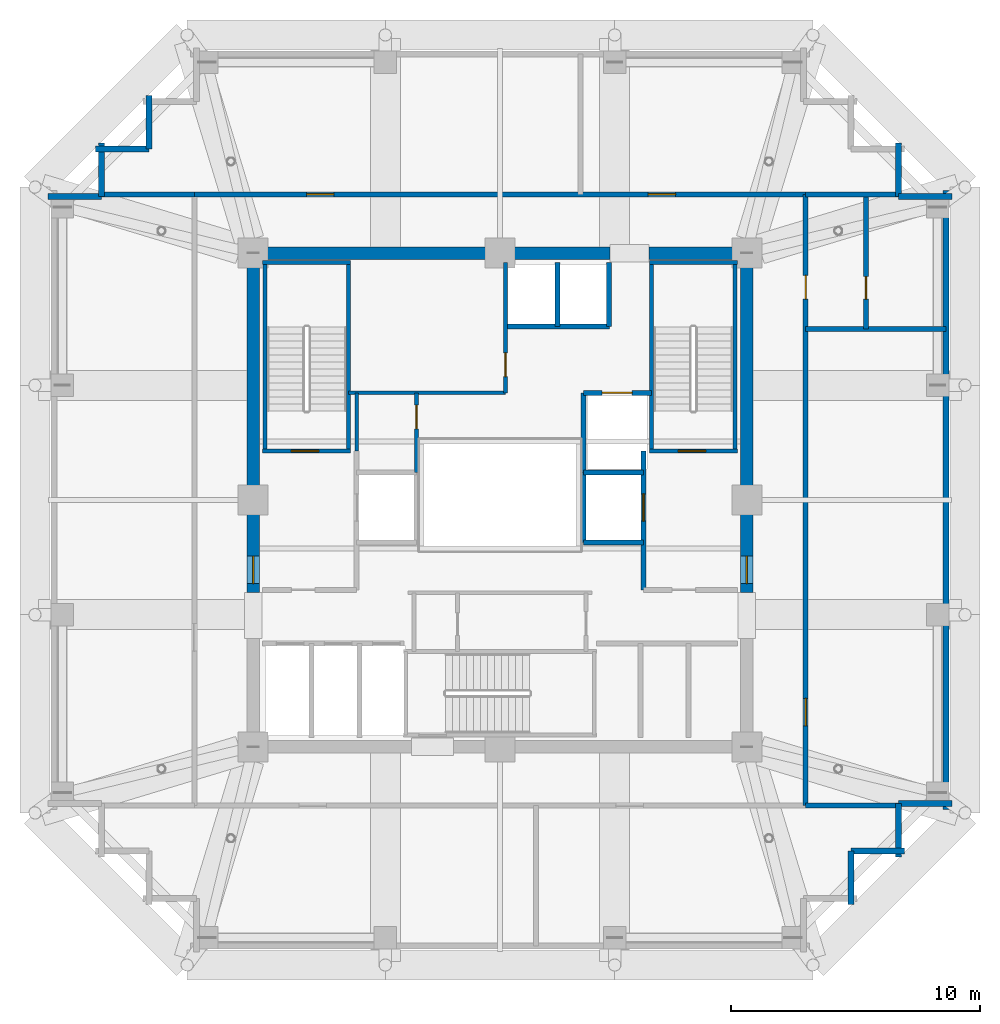
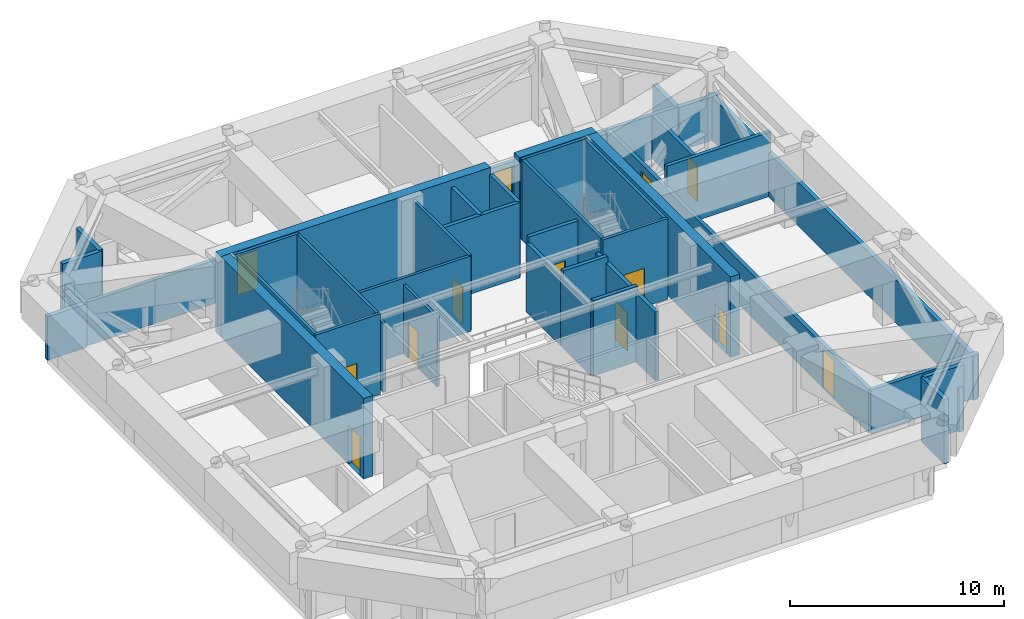
# One storey, part 10 of 12: 43 walls, 13 doors, 13 openings.
"""IFC4 building model written with IfcOpenShell, lengths in metres."""

from ifc_helpers import new_model, si_unit, direction, frame, frame_2d, origin, place, context, subcontext, project, spatial, rectangle, extrude, material, layer, layer_set, type_object, element, fill, save


model = new_model("IFC4")

# Units and contexts
model_context = context("Model", 3, precision=1e-05, world=origin(), true_north=direction((0.0, 1.0)))
body_context = subcontext(model_context, "Body", "Model", "MODEL_VIEW")
ifc_project = project(units=[si_unit("LENGTHUNIT", "METRE"), si_unit("AREAUNIT", "SQUARE_METRE"), si_unit("VOLUMEUNIT", "CUBIC_METRE"), si_unit("PLANEANGLEUNIT", "RADIAN"), si_unit("MASSUNIT", "GRAM", prefix="KILO")], contexts=[model_context])

# Site, building, storey
site_placement = place(None, origin())
site = spatial("IfcSite", under=ifc_project, at=site_placement, CompositionType="ELEMENT")
building_placement = place(site_placement, origin())
building = spatial("IfcBuilding", under=site, at=building_placement, Name="Kolvaren Belvedere", CompositionType="ELEMENT")
storey_placement = place(building_placement, frame((0.0, 0.0, 148.10009765625)))
storey = spatial("IfcBuildingStorey", under=building, at=storey_placement, Name="L43", CompositionType="ELEMENT", Elevation=148.10009765625)

# Walls
ifc_material_1 = material(Name="Concrete C50/60", Category="concrete")
ifc_layer_1 = layer(ifc_material_1, 0.5)
ifc_layer_set_1 = layer_set([ifc_layer_1], Name="Concrete C50/60")
wall_type_1 = type_object("IfcWallType", Name="CW-CORE-500", PredefinedType="SHEAR", material=ifc_layer_set_1)
wall_1_placement = place(storey_placement, frame((-10.14990234375, 9.89990234375, 0.0), z_axis=(0.0, 0.0, 1.0), x_axis=(1.0, 0.0, 0.0)))
element("IfcWall", 1, at=wall_1_placement, inside=storey, type_object=wall_type_1, Name="L43 North Core Shear Wall 1", PredefinedType="SHEAR", context=body_context, shape_type="SweptSolid", body=[
    extrude(rectangle(XDim=14.56982421875, YDim=0.5, at=frame_2d((7.284912109375, 0.0))), origin(), (0.0, 0.0, 1.0), 4.599853515625),
])
wall_2_placement = place(storey_placement, frame((5.97998046875, 9.89990234375, 0.0), z_axis=(0.0, 0.0, 1.0), x_axis=(1.0, 0.0, 0.0)))
element("IfcWall", 2, at=wall_2_placement, inside=storey, type_object=wall_type_1, Name="L43 North Core Shear Wall 2", PredefinedType="SHEAR", context=body_context, shape_type="SweptSolid", body=[
    extrude(rectangle(XDim=4.169921875, YDim=0.5, at=frame_2d((2.0849609375, 0.0))), origin(), (0.0, 0.0, 1.0), 4.599853515625),
])

# Wall, opening, door
wall_3_placement = place(storey_placement, frame((-9.89990234375, -3.699951171875, 0.0), z_axis=(0.0, 0.0, 1.0), x_axis=(0.0, 1.0, 0.0)))
wall_3 = element("IfcWall", 3, at=wall_3_placement, inside=storey, type_object=wall_type_1, Name="L43 West Core Shear Wall 2", PredefinedType="SHEAR", context=body_context, shape_type="SweptSolid", body=[
    extrude(rectangle(XDim=13.349853515625, YDim=0.5, at=frame_2d((6.6748046875, 0.0))), origin(), (0.0, 0.0, 1.0), 4.599853515625),
])
opening_1_placement = place(wall_3_placement, frame((0.35009765625, 0.0, 0.0)))
opening_1 = element("IfcOpeningElement", 4, at=opening_1_placement, cuts=wall_3, Name="Opening D-FD90", PredefinedType="OPENING", context=body_context, shape_type="SweptSolid", body=[
    extrude(rectangle(XDim=1.10009765625, YDim=2.199951171875, at=frame_2d((0.550048828125, 1.10009765625))), frame((0.0, 0.260009765625, 0.0), z_axis=(0.0, -1.0, 0.0), x_axis=(1.0, 0.0, 0.0)), (0.0, 0.0, 1.0), 0.52001953125),
])
ifc_material_2 = material(Name="Painted hollow stainless steel", Category="steel")
door_type_1 = type_object("IfcDoorType", Name="DR-FD90-1100", OperationType="NOTDEFINED", PredefinedType="DOOR", material=ifc_material_2)
door_1_placement = place(opening_1_placement, origin())
door_1 = element("IfcDoor", 5, at=door_1_placement, inside=storey, type_object=door_type_1, Name="L43 West Firefighting Lobby Fire Door", OperationType="SINGLE_SWING_LEFT", OverallHeight=2.199951171875, OverallWidth=1.10009765625, PredefinedType="DOOR", context=body_context, shape_type="SweptSolid", body=[
    extrude(rectangle(XDim=1.10009765625, YDim=2.199951171875, at=frame_2d((0.550048828125, 1.10009765625))), frame((0.0, 0.02490234375, 0.0), z_axis=(0.0, -1.0, 0.0), x_axis=(1.0, 0.0, 0.0)), (0.0, 0.0, 1.0), 0.050048828125),
])
fill(opening_1, door_1)

wall_4_placement = place(storey_placement, frame((9.89990234375, -3.699951171875, 0.0), z_axis=(0.0, 0.0, 1.0), x_axis=(0.0, 1.0, 0.0)))
wall_4 = element("IfcWall", 6, at=wall_4_placement, inside=storey, type_object=wall_type_1, Name="L43 East Core Shear Wall 2", PredefinedType="SHEAR", context=body_context, shape_type="SweptSolid", body=[
    extrude(rectangle(XDim=13.349853515625, YDim=0.5, at=frame_2d((6.6748046875, 0.0))), origin(), (0.0, 0.0, 1.0), 4.599853515625),
])
opening_2_placement = place(wall_4_placement, frame((0.35009765625, 0.0, 0.0)))
opening_2 = element("IfcOpeningElement", 7, at=opening_2_placement, cuts=wall_4, Name="Opening D-FD90", PredefinedType="OPENING", context=body_context, shape_type="SweptSolid", body=[
    extrude(rectangle(XDim=1.10009765625, YDim=2.199951171875, at=frame_2d((0.550048828125, 1.10009765625))), frame((0.0, 0.260009765625, 0.0), z_axis=(0.0, -1.0, 0.0), x_axis=(1.0, 0.0, 0.0)), (0.0, 0.0, 1.0), 0.52001953125),
])
door_2_placement = place(opening_2_placement, origin())
door_2 = element("IfcDoor", 8, at=door_2_placement, inside=storey, type_object=door_type_1, Name="L43 East Firefighting Lobby Fire Door", OperationType="SINGLE_SWING_RIGHT", OverallHeight=2.199951171875, OverallWidth=1.10009765625, PredefinedType="DOOR", context=body_context, shape_type="SweptSolid", body=[
    extrude(rectangle(XDim=1.10009765625, YDim=2.199951171875, at=frame_2d((0.550048828125, 1.10009765625))), frame((0.0, 0.02490234375, 0.0), z_axis=(0.0, -1.0, 0.0), x_axis=(1.0, 0.0, 0.0)), (0.0, 0.0, 1.0), 0.050048828125),
])
fill(opening_2, door_2)

ifc_material_3 = material(Name="Concrete C50/60", Category="concrete")
ifc_layer_2 = layer(ifc_material_3, 0.159912109375)
ifc_layer_set_2 = layer_set([ifc_layer_2], Name="Concrete C50/60")
wall_type_2 = type_object("IfcWallType", Name="CW-STAIR-160", PredefinedType="SHEAR", material=ifc_layer_set_2)
wall_5_placement = place(storey_placement, frame((-9.52001953125, 1.969970703125, 0.0), z_axis=(0.0, 0.0, 1.0), x_axis=(1.0, 0.0, 0.0)))
wall_5 = element("IfcWall", 9, at=wall_5_placement, inside=storey, type_object=wall_type_2, Name="L43 Stair ST-1 South Shear Wall", PredefinedType="SHEAR", context=body_context, shape_type="SweptSolid", body=[
    extrude(rectangle(XDim=3.52001953125, YDim=0.159912109375, at=frame_2d((1.760009765625, 0.0))), origin(), (0.0, 0.0, 1.0), 4.599853515625),
])
opening_3_placement = place(wall_5_placement, frame((1.14990234375, 0.0, 0.0)))
opening_3 = element("IfcOpeningElement", 10, at=opening_3_placement, cuts=wall_5, Name="Opening D-FD90", PredefinedType="OPENING", context=body_context, shape_type="SweptSolid", body=[
    extrude(rectangle(XDim=1.10009765625, YDim=2.199951171875, at=frame_2d((0.550048828125, 1.10009765625))), frame((0.0, 0.08984375, 0.0), z_axis=(0.0, -1.0, 0.0), x_axis=(1.0, 0.0, 0.0)), (0.0, 0.0, 1.0), 0.179931640625),
])
door_3_placement = place(opening_3_placement, origin())
door_3 = element("IfcDoor", 11, at=door_3_placement, inside=storey, type_object=door_type_1, Name="L43 Stair ST-1 Fire Door", OperationType="SINGLE_SWING_LEFT", OverallHeight=2.199951171875, OverallWidth=1.10009765625, PredefinedType="DOOR", context=body_context, shape_type="SweptSolid", body=[
    extrude(rectangle(XDim=1.10009765625, YDim=2.199951171875, at=frame_2d((0.550048828125, 1.10009765625))), frame((0.0, 0.02490234375, 0.0), z_axis=(0.0, -1.0, 0.0), x_axis=(1.0, 0.0, 0.0)), (0.0, 0.0, 1.0), 0.050048828125),
])
fill(opening_3, door_3)

# Walls
wall_6_placement = place(storey_placement, frame((-9.52001953125, 9.530029296875, 0.0), z_axis=(0.0, 0.0, 1.0), x_axis=(1.0, 0.0, 0.0)))
element("IfcWall", 12, at=wall_6_placement, inside=storey, type_object=wall_type_2, Name="L43 Stair ST-1 North Shear Wall", PredefinedType="SHEAR", context=body_context, shape_type="SweptSolid", body=[
    extrude(rectangle(XDim=3.52001953125, YDim=0.159912109375, at=frame_2d((1.760009765625, 0.0))), origin(), (0.0, 0.0, 1.0), 4.599853515625),
])
for number, where, z_axis, x_axis, name in (
    (13, (-9.429931640625, 1.969970703125, 0.0), (0.0, 0.0, 1.0), (0.0, 1.0, 0.0), "L43 Stair ST-1 West Shear Wall"),
    (14, (-6.080078125, 1.969970703125, 0.0), (0.0, 0.0, 1.0), (0.0, 1.0, 0.0), "L43 Stair ST-1 East Shear Wall"),
):
    element("IfcWall", number, at=place(storey_placement, frame(where, z_axis=z_axis, x_axis=x_axis)), inside=storey, type_object=wall_type_2, Name=name, PredefinedType="SHEAR", context=body_context, shape_type="SweptSolid", body=[
        extrude(rectangle(XDim=7.56005859375, YDim=0.159912109375, at=frame_2d((3.780029296875, 0.0))), origin(), (0.0, 0.0, 1.0), 4.599853515625),
    ])

# Wall, opening, door
wall_7_placement = place(storey_placement, frame((6.0, 1.969970703125, 0.0), z_axis=(0.0, 0.0, 1.0), x_axis=(1.0, 0.0, 0.0)))
wall_7 = element("IfcWall", 15, at=wall_7_placement, inside=storey, type_object=wall_type_2, Name="L43 Stair ST-2 South Shear Wall", PredefinedType="SHEAR", context=body_context, shape_type="SweptSolid", body=[
    extrude(rectangle(XDim=3.52001953125, YDim=0.159912109375, at=frame_2d((1.760009765625, 0.0))), origin(), (0.0, 0.0, 1.0), 4.599853515625),
])
opening_4_placement = place(wall_7_placement, frame((1.14990234375, 0.0, 0.0)))
opening_4 = element("IfcOpeningElement", 16, at=opening_4_placement, cuts=wall_7, Name="Opening D-FD90", PredefinedType="OPENING", context=body_context, shape_type="SweptSolid", body=[
    extrude(rectangle(XDim=1.10009765625, YDim=2.199951171875, at=frame_2d((0.550048828125, 1.10009765625))), frame((0.0, 0.08984375, 0.0), z_axis=(0.0, -1.0, 0.0), x_axis=(1.0, 0.0, 0.0)), (0.0, 0.0, 1.0), 0.179931640625),
])
door_4_placement = place(opening_4_placement, origin())
door_4 = element("IfcDoor", 17, at=door_4_placement, inside=storey, type_object=door_type_1, Name="L43 Stair ST-2 Fire Door", OperationType="SINGLE_SWING_RIGHT", OverallHeight=2.199951171875, OverallWidth=1.10009765625, PredefinedType="DOOR", context=body_context, shape_type="SweptSolid", body=[
    extrude(rectangle(XDim=1.10009765625, YDim=2.199951171875, at=frame_2d((0.550048828125, 1.10009765625))), frame((0.0, 0.02490234375, 0.0), z_axis=(0.0, -1.0, 0.0), x_axis=(1.0, 0.0, 0.0)), (0.0, 0.0, 1.0), 0.050048828125),
])
fill(opening_4, door_4)

# Walls
wall_8_placement = place(storey_placement, frame((6.0, 9.530029296875, 0.0), z_axis=(0.0, 0.0, 1.0), x_axis=(1.0, 0.0, 0.0)))
element("IfcWall", 18, at=wall_8_placement, inside=storey, type_object=wall_type_2, Name="L43 Stair ST-2 North Shear Wall", PredefinedType="SHEAR", context=body_context, shape_type="SweptSolid", body=[
    extrude(rectangle(XDim=3.52001953125, YDim=0.159912109375, at=frame_2d((1.760009765625, 0.0))), origin(), (0.0, 0.0, 1.0), 4.599853515625),
])
for number, where, z_axis, x_axis, name in (
    (19, (6.080078125, 1.969970703125, 0.0), (0.0, 0.0, 1.0), (0.0, 1.0, 0.0), "L43 Stair ST-2 West Shear Wall"),
    (20, (9.429931640625, 1.969970703125, 0.0), (0.0, 0.0, 1.0), (0.0, 1.0, 0.0), "L43 Stair ST-2 East Shear Wall"),
):
    element("IfcWall", number, at=place(storey_placement, frame(where, z_axis=z_axis, x_axis=x_axis)), inside=storey, type_object=wall_type_2, Name=name, PredefinedType="SHEAR", context=body_context, shape_type="SweptSolid", body=[
        extrude(rectangle(XDim=7.56005859375, YDim=0.159912109375, at=frame_2d((3.780029296875, 0.0))), origin(), (0.0, 0.0, 1.0), 4.599853515625),
    ])
ifc_material_4 = material(Name="Insulated acoustic pale-metal louvre wall", Category="aluminium")
ifc_layer_3 = layer(ifc_material_4, 0.239990234375)
ifc_layer_set_3 = layer_set([ifc_layer_3], Name="Insulated acoustic pale-metal louvre wall")
wall_type_3 = type_object("IfcWallType", Name="WL-LOUV-240", PredefinedType="STANDARD", material=ifc_layer_set_3)
for number, where, z_axis, x_axis, name in (
    (21, (14.080078125, -14.080078125, 0.0), (0.0, 0.0, 1.0), (0.0, -1.0, 0.0), "L43 Acoustic Louvre Facade Wall 4"),
    (22, (16.219970703125, -14.080078125, 0.0), (0.0, 0.0, 1.0), (-1.0, 0.0, 0.0), "L43 Acoustic Louvre Facade Wall 5"),
):
    element("IfcWall", number, at=place(storey_placement, frame(where, z_axis=z_axis, x_axis=x_axis)), inside=storey, type_object=wall_type_3, Name=name, PredefinedType="STANDARD", context=body_context, shape_type="SweptSolid", body=[
        extrude(rectangle(XDim=2.139892578125, YDim=0.239990234375, at=frame_2d((1.06982421875, 0.0))), origin(), (0.0, 0.0, 1.0), 3.678955078125),
    ])
for number, where, z_axis, x_axis, name in (
    (23, (15.97998046875, -12.179931640625, 0.0), (0.0, 0.0, 1.0), (0.0, -1.0, 0.0), "L43 Acoustic Louvre Facade Wall 6"),
    (24, (18.1201171875, -12.179931640625, 0.0), (0.0, 0.0, 1.0), (-1.0, 0.0, 0.0), "L43 Acoustic Louvre Facade Wall 7"),
):
    element("IfcWall", number, at=place(storey_placement, frame(where, z_axis=z_axis, x_axis=x_axis)), inside=storey, type_object=wall_type_3, Name=name, PredefinedType="STANDARD", context=body_context, shape_type="SweptSolid", body=[
        extrude(rectangle(XDim=2.14013671875, YDim=0.239990234375, at=frame_2d((1.070068359375, 0.0))), origin(), (0.0, 0.0, 1.0), 2.494873046875),
    ])
wall_9_placement = place(storey_placement, frame((17.8798828125, 12.419921875, 0.0), z_axis=(0.0, 0.0, 1.0), x_axis=(0.0, -1.0, 0.0)))
element("IfcWall", 25, at=wall_9_placement, inside=storey, type_object=wall_type_3, Name="L43 Acoustic Louvre Facade Wall 8", PredefinedType="STANDARD", context=body_context, shape_type="SweptSolid", body=[
    extrude(rectangle(XDim=24.83984375, YDim=0.239990234375, at=frame_2d((12.419921875, 0.0))), origin(), (0.0, 0.0, 1.0), 2.494873046875),
])
for number, where, z_axis, x_axis, name in (
    (26, (15.97998046875, 12.179931640625, 0.0), (0.0, 0.0, 1.0), (1.0, 0.0, 0.0), "L43 Acoustic Louvre Facade Wall 9"),
    (27, (15.97998046875, 14.320068359375, 0.0), (0.0, 0.0, 1.0), (0.0, -1.0, 0.0), "L43 Acoustic Louvre Facade Wall 10"),
):
    element("IfcWall", number, at=place(storey_placement, frame(where, z_axis=z_axis, x_axis=x_axis)), inside=storey, type_object=wall_type_3, Name=name, PredefinedType="STANDARD", context=body_context, shape_type="SweptSolid", body=[
        extrude(rectangle(XDim=2.14013671875, YDim=0.239990234375, at=frame_2d((1.070068359375, 0.0))), origin(), (0.0, 0.0, 1.0), 2.494873046875),
    ])
for number, where, z_axis, x_axis, name in (
    (28, (-14.080078125, 14.080078125, 0.0), (0.0, 0.0, 1.0), (0.0, 1.0, 0.0), "L43 Acoustic Louvre Facade Wall 18"),
    (29, (-16.219970703125, 14.080078125, 0.0), (0.0, 0.0, 1.0), (1.0, 0.0, 0.0), "L43 Acoustic Louvre Facade Wall 19"),
):
    element("IfcWall", number, at=place(storey_placement, frame(where, z_axis=z_axis, x_axis=x_axis)), inside=storey, type_object=wall_type_3, Name=name, PredefinedType="STANDARD", context=body_context, shape_type="SweptSolid", body=[
        extrude(rectangle(XDim=2.139892578125, YDim=0.239990234375, at=frame_2d((1.06982421875, 0.0))), origin(), (0.0, 0.0, 1.0), 3.678955078125),
    ])
for number, where, z_axis, x_axis, name in (
    (30, (-15.97998046875, 12.179931640625, 0.0), (0.0, 0.0, 1.0), (0.0, 1.0, 0.0), "L43 Acoustic Louvre Facade Wall 20"),
    (31, (-18.1201171875, 12.179931640625, 0.0), (0.0, 0.0, 1.0), (1.0, 0.0, 0.0), "L43 Acoustic Louvre Facade Wall 21"),
):
    element("IfcWall", number, at=place(storey_placement, frame(where, z_axis=z_axis, x_axis=x_axis)), inside=storey, type_object=wall_type_3, Name=name, PredefinedType="STANDARD", context=body_context, shape_type="SweptSolid", body=[
        extrude(rectangle(XDim=2.14013671875, YDim=0.239990234375, at=frame_2d((1.070068359375, 0.0))), origin(), (0.0, 0.0, 1.0), 2.494873046875),
    ])
ifc_material_5 = material(Name="Gypsum acoustic partition assembly", Category="gypsum")
ifc_layer_4 = layer(ifc_material_5, 0.14990234375)
ifc_layer_set_4 = layer_set([ifc_layer_4], Name="Gypsum acoustic partition assembly")
wall_type_4 = type_object("IfcWallType", Name="WL-PART-150", PredefinedType="PARTITIONING", material=ifc_layer_set_4)
wall_10_placement = place(storey_placement, frame((-6.080078125, 4.300048828125, 0.0), z_axis=(0.0, 0.0, 1.0), x_axis=(1.0, 0.0, 0.0)))
element("IfcWall", 32, at=wall_10_placement, inside=storey, type_object=wall_type_4, Name="L43 Reclaimed Salon South Wall", PredefinedType="PARTITIONING", context=body_context, shape_type="SweptSolid", body=[
    extrude(rectangle(XDim=6.300048828125, YDim=0.14990234375, at=frame_2d((3.14990234375, 0.0))), origin(), (0.0, 0.0, 1.0), 4.2998046875),
])

# Wall, opening, door
wall_11_placement = place(storey_placement, frame((0.219970703125, 4.300048828125, 0.0), z_axis=(0.0, 0.0, 1.0), x_axis=(0.0, 1.0, 0.0)))
wall_11 = element("IfcWall", 33, at=wall_11_placement, inside=storey, type_object=wall_type_4, Name="L43 Reclaimed Salon East Wall", PredefinedType="PARTITIONING", context=body_context, shape_type="SweptSolid", body=[
    extrude(rectangle(XDim=5.219970703125, YDim=0.14990234375, at=frame_2d((2.60986328125, 0.0))), origin(), (0.0, 0.0, 1.0), 4.2998046875),
])
opening_5_placement = place(wall_11_placement, frame((0.64990234375, 0.0, 0.0)))
opening_5 = element("IfcOpeningElement", 34, at=opening_5_placement, cuts=wall_11, Name="Opening D-INT95", PredefinedType="OPENING", context=body_context, shape_type="SweptSolid", body=[
    extrude(rectangle(XDim=0.949951171875, YDim=2.06005859375, at=frame_2d((0.47509765625, 1.030029296875))), frame((0.0, 0.0849609375, 0.0), z_axis=(0.0, -1.0, 0.0), x_axis=(1.0, 0.0, 0.0)), (0.0, 0.0, 1.0), 0.169921875),
])
ifc_material_6 = material(Name="Stained Pacific white oak", Category="timber")
door_type_2 = type_object("IfcDoorType", Name="DR-INT-950", OperationType="NOTDEFINED", PredefinedType="DOOR", material=ifc_material_6)
door_5_placement = place(opening_5_placement, origin())
door_5 = element("IfcDoor", 35, at=door_5_placement, inside=storey, type_object=door_type_2, Name="L43 Telemetry & Controls Mechanical Plant Door", OperationType="SINGLE_SWING_LEFT", OverallHeight=2.06005859375, OverallWidth=0.949951171875, PredefinedType="DOOR", context=body_context, shape_type="SweptSolid", body=[
    extrude(rectangle(XDim=0.949951171875, YDim=2.06005859375, at=frame_2d((0.47509765625, 1.030029296875))), frame((0.0, 0.02490234375, 0.0), z_axis=(0.0, -1.0, 0.0), x_axis=(1.0, 0.0, 0.0)), (0.0, 0.0, 1.0), 0.050048828125),
])
fill(opening_5, door_5)

wall_12_placement = place(storey_placement, frame((-3.35009765625, 1.10009765625, 0.0), z_axis=(0.0, 0.0, 1.0), x_axis=(0.0, 1.0, 0.0)))
wall_12 = element("IfcWall", 36, at=wall_12_placement, inside=storey, type_object=wall_type_4, Name="L43 NW Service Room East Wall", PredefinedType="PARTITIONING", context=body_context, shape_type="SweptSolid", body=[
    extrude(rectangle(XDim=3.199951171875, YDim=0.14990234375, at=frame_2d((1.60009765625, 0.0))), origin(), (0.0, 0.0, 1.0), 3.934814453125),
])
opening_6_placement = place(wall_12_placement, frame((1.75, 0.0, 0.0)))
opening_6 = element("IfcOpeningElement", 37, at=opening_6_placement, cuts=wall_12, Name="Opening D-FD60", PredefinedType="OPENING", context=body_context, shape_type="SweptSolid", body=[
    extrude(rectangle(XDim=0.949951171875, YDim=2.06005859375, at=frame_2d((0.47509765625, 1.030029296875))), frame((0.0, 0.0849609375, 0.0), z_axis=(0.0, -1.0, 0.0), x_axis=(1.0, 0.0, 0.0)), (0.0, 0.0, 1.0), 0.169921875),
])
ifc_material_7 = material(Name="Acoustic white-oak fire door leaf", Category="timber")
door_type_3 = type_object("IfcDoorType", Name="DR-FD60-950", OperationType="NOTDEFINED", PredefinedType="DOOR", material=ifc_material_7)
door_6_placement = place(opening_6_placement, origin())
door_6 = element("IfcDoor", 38, at=door_6_placement, inside=storey, type_object=door_type_3, Name="L43 NW Core Store Door", OperationType="SINGLE_SWING_LEFT", OverallHeight=2.06005859375, OverallWidth=0.949951171875, PredefinedType="DOOR", context=body_context, shape_type="SweptSolid", body=[
    extrude(rectangle(XDim=0.949951171875, YDim=2.06005859375, at=frame_2d((0.47509765625, 1.030029296875))), frame((0.0, 0.02490234375, 0.0), z_axis=(0.0, -1.0, 0.0), x_axis=(1.0, 0.0, 0.0)), (0.0, 0.0, 1.0), 0.050048828125),
])
fill(opening_6, door_6)

# Wall
wall_13_placement = place(storey_placement, frame((-5.75, 1.969970703125, 0.0), z_axis=(0.0, 0.0, 1.0), x_axis=(0.0, 1.0, 0.0)))
element("IfcWall", 39, at=wall_13_placement, inside=storey, type_object=wall_type_4, Name="L43 NW Service Room West Wall", PredefinedType="PARTITIONING", context=body_context, shape_type="SweptSolid", body=[
    extrude(rectangle(XDim=2.330078125, YDim=0.14990234375, at=frame_2d((1.1650390625, 0.0))), origin(), (0.0, 0.0, 1.0), 3.934814453125),
])

# Wall, opening, door
ifc_material_8 = material(Name="Concrete C50/60", Category="concrete")
ifc_layer_5 = layer(ifc_material_8, 0.199951171875)
ifc_layer_set_5 = layer_set([ifc_layer_5], Name="Concrete C50/60")
wall_type_5 = type_object("IfcWallType", Name="WL-SHAFT-200", PredefinedType="SOLIDWALL", material=ifc_layer_set_5)
wall_14_placement = place(storey_placement, frame((5.75, -3.60009765625, 0.0), z_axis=(0.0, 0.0, 1.0), x_axis=(0.0, 1.0, 0.0)))
wall_14 = element("IfcWall", 40, at=wall_14_placement, inside=storey, type_object=wall_type_5, Name="L43 FSAE FS2 Landing Wall", PredefinedType="SOLIDWALL", context=body_context, shape_type="SweptSolid", body=[
    extrude(rectangle(XDim=5.570068359375, YDim=0.199951171875, at=frame_2d((2.78515625, 0.0))), origin(), (0.0, 0.0, 1.0), 3.934814453125),
])
opening_7_placement = place(wall_14_placement, frame((2.75, 0.0, 0.0)))
opening_7 = element("IfcOpeningElement", 41, at=opening_7_placement, cuts=wall_14, Name="Opening LD-11", PredefinedType="OPENING", context=body_context, shape_type="SweptSolid", body=[
    extrude(rectangle(XDim=1.10009765625, YDim=2.199951171875, at=frame_2d((0.550048828125, 1.10009765625))), frame((0.0, 0.10986328125, 0.0), z_axis=(0.0, -1.0, 0.0), x_axis=(1.0, 0.0, 0.0)), (0.0, 0.0, 1.0), 0.219970703125),
])
ifc_material_9 = material(Name="Brushed stainless steel", Category="steel")
door_type_4 = type_object("IfcDoorType", Name="DR-LIFT-1100", OperationType="DOUBLE_DOOR_SLIDING", PredefinedType="DOOR", material=ifc_material_9)
door_7_placement = place(opening_7_placement, origin())
door_7 = element("IfcDoor", 42, at=door_7_placement, inside=storey, type_object=door_type_4, Name="L43 Firefighting Lift FS2 Landing Door", OperationType="DOUBLE_DOOR_SLIDING", OverallHeight=2.199951171875, OverallWidth=1.10009765625, PredefinedType="DOOR", context=body_context, shape_type="SweptSolid", body=[
    extrude(rectangle(XDim=1.10009765625, YDim=2.199951171875, at=frame_2d((0.550048828125, 1.10009765625))), frame((0.0, 0.02490234375, 0.0), z_axis=(0.0, -1.0, 0.0), x_axis=(1.0, 0.0, 0.0)), (0.0, 0.0, 1.0), 0.050048828125),
])
fill(opening_7, door_7)

# Walls
wall_15_placement = place(storey_placement, frame((3.35009765625, -1.699951171875, 0.0), z_axis=(0.0, 0.0, 1.0), x_axis=(0.0, 1.0, 0.0)))
element("IfcWall", 43, at=wall_15_placement, inside=storey, type_object=wall_type_5, Name="L43 FSAE FS2 Back Wall", PredefinedType="SOLIDWALL", context=body_context, shape_type="SweptSolid", body=[
    extrude(rectangle(XDim=2.800048828125, YDim=0.199951171875, at=frame_2d((1.39990234375, 0.0))), origin(), (0.0, 0.0, 1.0), 3.934814453125),
])
for number, where, z_axis, x_axis, name in (
    (44, (3.35009765625, -1.699951171875, 0.0), (0.0, 0.0, 1.0), (1.0, 0.0, 0.0), "L43 FSAE FS2 South Wall"),
    (45, (3.35009765625, 1.10009765625, 0.0), (0.0, 0.0, 1.0), (1.0, 0.0, 0.0), "L43 FSAE FS2 North Wall"),
):
    element("IfcWall", number, at=place(storey_placement, frame(where, z_axis=z_axis, x_axis=x_axis)), inside=storey, type_object=wall_type_5, Name=name, PredefinedType="SOLIDWALL", context=body_context, shape_type="SweptSolid", body=[
        extrude(rectangle(XDim=2.39990234375, YDim=0.199951171875, at=frame_2d((1.199951171875, 0.0))), origin(), (0.0, 0.0, 1.0), 4.2998046875),
    ])

# Wall, opening, door
wall_16_placement = place(storey_placement, frame((3.35009765625, 4.300048828125, 0.0), z_axis=(0.0, 0.0, 1.0), x_axis=(1.0, 0.0, 0.0)))
wall_16 = element("IfcWall", 46, at=wall_16_placement, inside=storey, type_object=wall_type_5, Name="L43 Service Lift SV1 Front Wall", PredefinedType="SOLIDWALL", context=body_context, shape_type="SweptSolid", body=[
    extrude(rectangle(XDim=2.72998046875, YDim=0.199951171875, at=frame_2d((1.364990234375, 0.0))), origin(), (0.0, 0.0, 1.0), 4.2998046875),
])
opening_8_placement = place(wall_16_placement, frame((0.75, 0.0, 0.0)))
opening_8 = element("IfcOpeningElement", 47, at=opening_8_placement, cuts=wall_16, Name="Opening LD-12", PredefinedType="OPENING", context=body_context, shape_type="SweptSolid", body=[
    extrude(rectangle(XDim=1.199951171875, YDim=2.25, at=frame_2d((0.60009765625, 1.125))), frame((0.0, 0.10986328125, 0.0), z_axis=(0.0, -1.0, 0.0), x_axis=(1.0, 0.0, 0.0)), (0.0, 0.0, 1.0), 0.219970703125),
])
ifc_material_10 = material(Name="Brushed stainless steel", Category="steel")
door_type_5 = type_object("IfcDoorType", Name="DR-LIFT-1200", OperationType="DOUBLE_DOOR_SLIDING", PredefinedType="DOOR", material=ifc_material_10)
door_8_placement = place(opening_8_placement, origin())
door_8 = element("IfcDoor", 48, at=door_8_placement, inside=storey, type_object=door_type_5, Name="L43 Service Lift SV1 Landing Door", OperationType="DOUBLE_DOOR_SLIDING", OverallHeight=2.25, OverallWidth=1.199951171875, PredefinedType="DOOR", context=body_context, shape_type="SweptSolid", body=[
    extrude(rectangle(XDim=1.199951171875, YDim=2.25, at=frame_2d((0.60009765625, 1.125))), frame((0.0, 0.02490234375, 0.0), z_axis=(0.0, -1.0, 0.0), x_axis=(1.0, 0.0, 0.0)), (0.0, 0.0, 1.0), 0.050048828125),
])
fill(opening_8, door_8)

# Walls
wall_17_placement = place(storey_placement, frame((3.35009765625, 1.10009765625, 0.0), z_axis=(0.0, 0.0, 1.0), x_axis=(0.0, 1.0, 0.0)))
element("IfcWall", 49, at=wall_17_placement, inside=storey, type_object=wall_type_5, Name="L43 Service Lift SV1 West Wall", PredefinedType="SOLIDWALL", context=body_context, shape_type="SweptSolid", body=[
    extrude(rectangle(XDim=3.199951171875, YDim=0.199951171875, at=frame_2d((1.60009765625, 0.0))), origin(), (0.0, 0.0, 1.0), 3.934814453125),
])
wall_18_placement = place(storey_placement, frame((0.219970703125, 6.949951171875, 0.0), z_axis=(0.0, 0.0, 1.0), x_axis=(1.0, 0.0, 0.0)))
element("IfcWall", 50, at=wall_18_placement, inside=storey, type_object=wall_type_5, Name="L43 Express Shuttle Hoistway Wall", PredefinedType="SOLIDWALL", context=body_context, shape_type="SweptSolid", body=[
    extrude(rectangle(XDim=4.179931640625, YDim=0.199951171875, at=frame_2d((2.08984375, 0.0))), origin(), (0.0, 0.0, 1.0), 4.2998046875),
])
for number, where, z_axis, x_axis, name in (
    (51, (4.3798828125, 6.949951171875, 0.0), (0.0, 0.0, 1.0), (0.0, 1.0, 0.0), "L43 Express Shuttle East Wall"),
    (52, (2.31005859375, 6.949951171875, 0.0), (0.0, 0.0, 1.0), (0.0, 1.0, 0.0), "L43 Express Shuttle Divider"),
):
    element("IfcWall", number, at=place(storey_placement, frame(where, z_axis=z_axis, x_axis=x_axis)), inside=storey, type_object=wall_type_5, Name=name, PredefinedType="SOLIDWALL", context=body_context, shape_type="SweptSolid", body=[
        extrude(rectangle(XDim=2.570068359375, YDim=0.199951171875, at=frame_2d((1.28515625, 0.0))), origin(), (0.0, 0.0, 1.0), 4.2998046875),
    ])

# Wall, openings, doors
wall_19_placement = place(storey_placement, frame((-12.260009765625, 12.260009765625, 0.0), z_axis=(0.0, 0.0, 1.0), x_axis=(1.0, 0.0, 0.0)))
wall_19 = element("IfcWall", 53, at=wall_19_placement, inside=storey, type_object=wall_type_5, Name="L43 North Corridor Wall", PredefinedType="SOLIDWALL", context=body_context, shape_type="SweptSolid", body=[
    extrude(rectangle(XDim=24.52001953125, YDim=0.199951171875, at=frame_2d((12.260009765625, 0.0))), origin(), (0.0, 0.0, 1.0), 2.48486328125),
])
opening_9_placement = place(wall_19_placement, frame((4.5, 0.0, 0.0)))
opening_9 = element("IfcOpeningElement", 54, at=opening_9_placement, cuts=wall_19, Name="Opening D-FD90", PredefinedType="OPENING", context=body_context, shape_type="SweptSolid", body=[
    extrude(rectangle(XDim=1.10009765625, YDim=2.199951171875, at=frame_2d((0.550048828125, 1.10009765625))), frame((0.0, 0.10986328125, 0.0), z_axis=(0.0, -1.0, 0.0), x_axis=(1.0, 0.0, 0.0)), (0.0, 0.0, 1.0), 0.219970703125),
])
opening_10_placement = place(wall_19_placement, frame((18.199951171875, 0.0, 0.0)))
opening_10 = element("IfcOpeningElement", 55, at=opening_10_placement, cuts=wall_19, Name="Opening D-FD90", PredefinedType="OPENING", context=body_context, shape_type="SweptSolid", body=[
    extrude(rectangle(XDim=1.10009765625, YDim=2.199951171875, at=frame_2d((0.550048828125, 1.10009765625))), frame((0.0, 0.10986328125, 0.0), z_axis=(0.0, -1.0, 0.0), x_axis=(1.0, 0.0, 0.0)), (0.0, 0.0, 1.0), 0.219970703125),
])
door_9_placement = place(opening_9_placement, origin())
door_9 = element("IfcDoor", 56, at=door_9_placement, inside=storey, type_object=door_type_1, Name="L43 North Pressurised Area of Refuge Door", OperationType="SINGLE_SWING_RIGHT", OverallHeight=2.199951171875, OverallWidth=1.10009765625, PredefinedType="DOOR", context=body_context, shape_type="SweptSolid", body=[
    extrude(rectangle(XDim=1.10009765625, YDim=2.199951171875, at=frame_2d((0.550048828125, 1.10009765625))), frame((0.0, 0.02490234375, 0.0), z_axis=(0.0, -1.0, 0.0), x_axis=(1.0, 0.0, 0.0)), (0.0, 0.0, 1.0), 0.050048828125),
])
fill(opening_9, door_9)
door_10_placement = place(opening_10_placement, origin())
door_10 = element("IfcDoor", 57, at=door_10_placement, inside=storey, type_object=door_type_1, Name="L43 Domestic Booster Pump Mechanical Plant Door", OperationType="SINGLE_SWING_LEFT", OverallHeight=2.199951171875, OverallWidth=1.10009765625, PredefinedType="DOOR", context=body_context, shape_type="SweptSolid", body=[
    extrude(rectangle(XDim=1.10009765625, YDim=2.199951171875, at=frame_2d((0.550048828125, 1.10009765625))), frame((0.0, 0.02490234375, 0.0), z_axis=(0.0, -1.0, 0.0), x_axis=(1.0, 0.0, 0.0)), (0.0, 0.0, 1.0), 0.050048828125),
])
fill(opening_10, door_10)

wall_20_placement = place(storey_placement, frame((12.260009765625, -12.260009765625, 0.0), z_axis=(0.0, 0.0, 1.0), x_axis=(0.0, 1.0, 0.0)))
wall_20 = element("IfcWall", 58, at=wall_20_placement, inside=storey, type_object=wall_type_5, Name="L43 East Corridor Wall", PredefinedType="SOLIDWALL", context=body_context, shape_type="SweptSolid", body=[
    extrude(rectangle(XDim=24.52001953125, YDim=0.199951171875, at=frame_2d((12.260009765625, 0.0))), origin(), (0.0, 0.0, 1.0), 2.48486328125),
])
opening_11_placement = place(wall_20_placement, frame((3.199951171875, 0.0, 0.0)))
opening_11 = element("IfcOpeningElement", 59, at=opening_11_placement, cuts=wall_20, Name="Opening D-FD90", PredefinedType="OPENING", context=body_context, shape_type="SweptSolid", body=[
    extrude(rectangle(XDim=1.10009765625, YDim=2.199951171875, at=frame_2d((0.550048828125, 1.10009765625))), frame((0.0, 0.10986328125, 0.0), z_axis=(0.0, -1.0, 0.0), x_axis=(1.0, 0.0, 0.0)), (0.0, 0.0, 1.0), 0.219970703125),
])
opening_12_placement = place(wall_20_placement, frame((20.320068359375, 0.0, 0.0)))
opening_12 = element("IfcOpeningElement", 60, at=opening_12_placement, cuts=wall_20, Name="Opening D-INT95", PredefinedType="OPENING", context=body_context, shape_type="SweptSolid", body=[
    extrude(rectangle(XDim=0.949951171875, YDim=2.06005859375, at=frame_2d((0.47509765625, 1.030029296875))), frame((0.0, 0.10986328125, 0.0), z_axis=(0.0, -1.0, 0.0), x_axis=(1.0, 0.0, 0.0)), (0.0, 0.0, 1.0), 0.219970703125),
])
door_11_placement = place(opening_11_placement, origin())
door_11 = element("IfcDoor", 61, at=door_11_placement, inside=storey, type_object=door_type_1, Name="L43 High-Zone Substation Mechanical Plant Door", OperationType="SINGLE_SWING_RIGHT", OverallHeight=2.199951171875, OverallWidth=1.10009765625, PredefinedType="DOOR", context=body_context, shape_type="SweptSolid", body=[
    extrude(rectangle(XDim=1.10009765625, YDim=2.199951171875, at=frame_2d((0.550048828125, 1.10009765625))), frame((0.0, 0.02490234375, 0.0), z_axis=(0.0, -1.0, 0.0), x_axis=(1.0, 0.0, 0.0)), (0.0, 0.0, 1.0), 0.050048828125),
])
fill(opening_11, door_11)
door_12_placement = place(opening_12_placement, origin())
door_12 = element("IfcDoor", 62, at=door_12_placement, inside=storey, type_object=door_type_2, Name="L43 Staff Accessible Washroom Door", OperationType="SINGLE_SWING_LEFT", OverallHeight=2.06005859375, OverallWidth=0.949951171875, PredefinedType="DOOR", context=body_context, shape_type="SweptSolid", body=[
    extrude(rectangle(XDim=0.949951171875, YDim=2.06005859375, at=frame_2d((0.47509765625, 1.030029296875))), frame((0.0, 0.02490234375, 0.0), z_axis=(0.0, -1.0, 0.0), x_axis=(1.0, 0.0, 0.0)), (0.0, 0.0, 1.0), 0.050048828125),
])
fill(opening_12, door_12)

# Walls
for number, where, z_axis, x_axis, name in (
    (63, (12.260009765625, -12.260009765625, 0.0), (0.0, 0.0, 1.0), (1.0, 0.0, 0.0), "L43 Sector Wall PW-L43-QSE"),
    (64, (-16.09619140625, 12.260009765625, 0.0), (0.0, 0.0, 1.0), (1.0, 0.0, 0.0), "L43 Sector Wall PW-L43-QNW"),
    (65, (12.260009765625, 12.260009765625, 0.0), (0.0, 0.0, 1.0), (1.0, 0.0, 0.0), "L43 Sector Wall PW-L43-QNE"),
):
    element("IfcWall", number, at=place(storey_placement, frame(where, z_axis=z_axis, x_axis=x_axis)), inside=storey, type_object=wall_type_5, Name=name, PredefinedType="SOLIDWALL", context=body_context, shape_type="SweptSolid", body=[
        extrude(rectangle(XDim=3.836181640625, YDim=0.199951171875, at=frame_2d((1.91796875, 0.0))), origin(), (0.0, 0.0, 1.0), 2.48486328125),
    ])
wall_21_placement = place(storey_placement, frame((12.260009765625, 6.860107421875, 0.0), z_axis=(0.0, 0.0, 1.0), x_axis=(1.0, 0.0, 0.0)))
element("IfcWall", 66, at=wall_21_placement, inside=storey, type_object=wall_type_5, Name="L43 East Plant WC Wall", PredefinedType="SOLIDWALL", context=body_context, shape_type="SweptSolid", body=[
    extrude(rectangle(XDim=5.619873046875, YDim=0.199951171875, at=frame_2d((2.81005859375, 0.0))), origin(), (0.0, 0.0, 1.0), 3.6689453125),
])

# Wall, opening, door
wall_22_placement = place(storey_placement, frame((14.679931640625, 6.860107421875, 0.0), z_axis=(0.0, 0.0, 1.0), x_axis=(0.0, 1.0, 0.0)))
wall_22 = element("IfcWall", 67, at=wall_22_placement, inside=storey, type_object=wall_type_5, Name="L43 Staff WC Back Wall", PredefinedType="SOLIDWALL", context=body_context, shape_type="SweptSolid", body=[
    extrude(rectangle(XDim=5.39990234375, YDim=0.199951171875, at=frame_2d((2.699951171875, 0.0))), origin(), (0.0, 0.0, 1.0), 2.48486328125),
])
opening_13_placement = place(wall_22_placement, frame((1.199951171875, 0.0, 0.0)))
opening_13 = element("IfcOpeningElement", 68, at=opening_13_placement, cuts=wall_22, Name="Opening D-INT90", PredefinedType="OPENING", context=body_context, shape_type="SweptSolid", body=[
    extrude(rectangle(XDim=0.89990234375, YDim=2.06005859375, at=frame_2d((0.449951171875, 1.030029296875))), frame((0.0, 0.10986328125, 0.0), z_axis=(0.0, -1.0, 0.0), x_axis=(1.0, 0.0, 0.0)), (0.0, 0.0, 1.0), 0.219970703125),
])
ifc_material_11 = material(Name="Stained Pacific white oak", Category="timber")
door_type_6 = type_object("IfcDoorType", Name="DR-INT-900", OperationType="NOTDEFINED", PredefinedType="DOOR", material=ifc_material_11)
door_13_placement = place(opening_13_placement, origin())
door_13 = element("IfcDoor", 69, at=door_13_placement, inside=storey, type_object=door_type_6, Name="L43 Filter & Controls Mechanical Plant Door", OperationType="SINGLE_SWING_RIGHT", OverallHeight=2.06005859375, OverallWidth=0.89990234375, PredefinedType="DOOR", context=body_context, shape_type="SweptSolid", body=[
    extrude(rectangle(XDim=0.89990234375, YDim=2.06005859375, at=frame_2d((0.449951171875, 1.030029296875))), frame((0.0, 0.02490234375, 0.0), z_axis=(0.0, -1.0, 0.0), x_axis=(1.0, 0.0, 0.0)), (0.0, 0.0, 1.0), 0.050048828125),
])
fill(opening_13, door_13)

save(model, "model.ifc")
